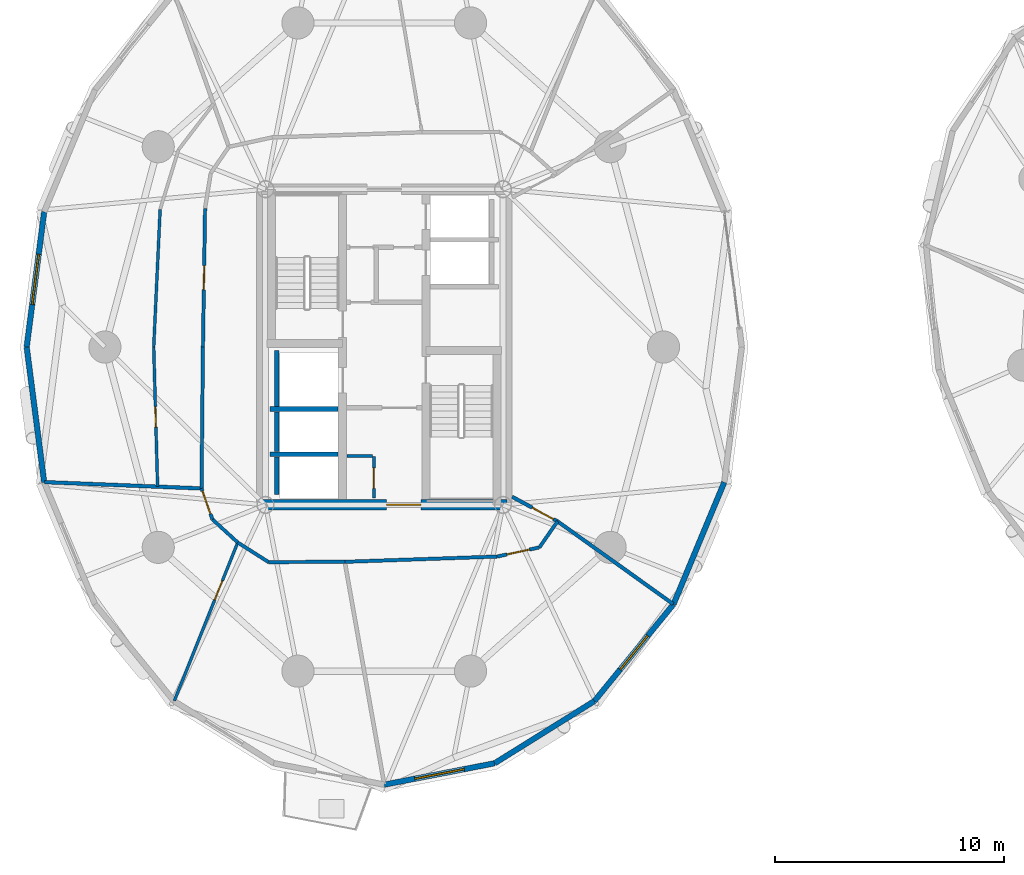
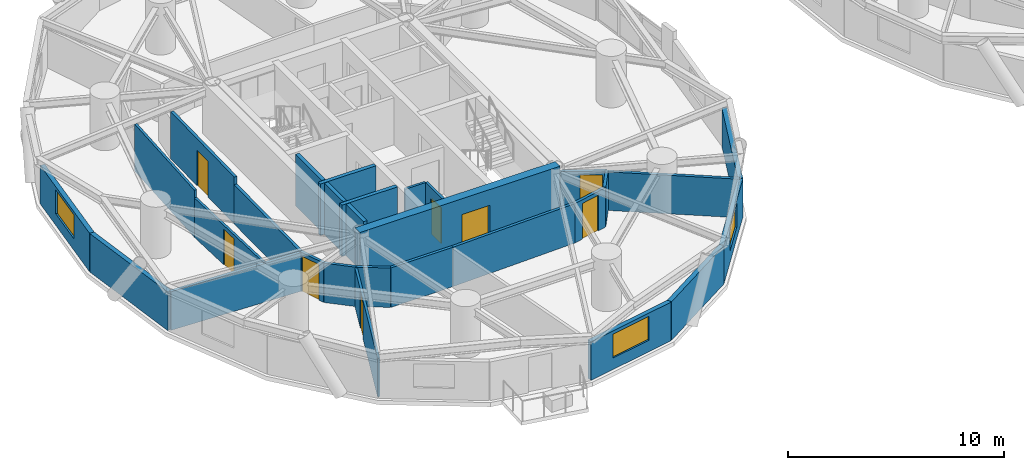
# One storey, part 9 of 17: 29 walls, 8 doors, 3 windows, 11 openings.
"""IFC4 building model written with IfcOpenShell, lengths in metres."""

from ifc_helpers import new_model, si_unit, direction, frame, frame_2d, origin, place, context, subcontext, project, spatial, rectangle, extrude, source, transform, mapped, material, layer, layer_set, type_object, element, fill, save


model = new_model("IFC4")

# Units and contexts
model_context = context("Model", 3, precision=1e-05, world=origin(), true_north=direction((0.0, 1.0)))
body_context = subcontext(model_context, "Body", "Model", "MODEL_VIEW")
ifc_project = project(units=[si_unit("LENGTHUNIT", "METRE"), si_unit("AREAUNIT", "SQUARE_METRE"), si_unit("VOLUMEUNIT", "CUBIC_METRE"), si_unit("PLANEANGLEUNIT", "RADIAN"), si_unit("MASSUNIT", "GRAM", prefix="KILO")], contexts=[model_context])

# Site, building, storey
site_placement = place(None, origin())
site = spatial("IfcSite", under=ifc_project, at=site_placement, CompositionType="ELEMENT")
building_placement = place(site_placement, origin())
building = spatial("IfcBuilding", under=site, at=building_placement, Name="Cununo Teusaquillo Station Towers", CompositionType="ELEMENT")
storey_placement = place(building_placement, frame((0.0, 0.0, 113.800048828125)))
storey = spatial("IfcBuildingStorey", under=building, at=storey_placement, Name="L36", CompositionType="ELEMENT", Elevation=113.800048828125)

# Walls
ifc_material_1 = material(Name="Concrete C50/60", Category="concrete")
ifc_layer_1 = layer(ifc_material_1, 0.199951171875)
ifc_layer_set_1 = layer_set([ifc_layer_1], Name="Concrete C50/60")
wall_type_1 = type_object("IfcWallType", Name="WL-CORE-200", PredefinedType="SHEAR", material=ifc_layer_set_1)
wall_1_placement = place(storey_placement, frame((11.52001953125, 21.800048828125, 0.0), z_axis=(0.0, 0.0, 1.0), x_axis=(1.0, 0.0, 0.0)))
element("IfcWall", 1, at=wall_1_placement, inside=storey, type_object=wall_type_1, Name="L36 Tower A Firefighting Lift Shaft South Shear Wall", PredefinedType="SHEAR", context=body_context, shape_type="SweptSolid", body=[
    extrude(rectangle(XDim=2.969970703125, YDim=0.199951171875, at=frame_2d((1.48486328125, 0.0))), origin(), (0.0, 0.0, 1.0), 2.909912109375),
])
wall_2_placement = place(storey_placement, frame((11.820068359375, 21.919921875, 0.0), z_axis=(0.0, 0.0, 1.0), x_axis=(0.0, 1.0, 0.0)))
element("IfcWall", 2, at=wall_2_placement, inside=storey, type_object=wall_type_1, Name="L36 Tower A Firefighting Lift Shaft Rear Shear Wall", PredefinedType="SHEAR", context=body_context, shape_type="SweptSolid", body=[
    extrude(rectangle(XDim=2.440185546875, YDim=0.199951171875, at=frame_2d((1.22021484375, 0.0))), origin(), (0.0, 0.0, 1.0), 2.909912109375),
])
wall_3_placement = place(storey_placement, frame((11.52001953125, 19.824951171875, 0.0), z_axis=(0.0, 0.0, 1.0), x_axis=(1.0, 0.0, 0.0)))
element("IfcWall", 3, at=wall_3_placement, inside=storey, type_object=wall_type_1, Name="L36 Tower A High-Rise Lift Hoistway Divider Shear Wall", PredefinedType="SHEAR", context=body_context, shape_type="SweptSolid", body=[
    extrude(rectangle(XDim=2.969970703125, YDim=0.199951171875, at=frame_2d((1.48486328125, 0.0))), origin(), (0.0, 0.0, 1.0), 2.909912109375),
])
wall_4_placement = place(storey_placement, frame((11.820068359375, 19.945068359375, 0.0), z_axis=(0.0, 0.0, 1.0), x_axis=(0.0, 1.0, 0.0)))
element("IfcWall", 4, at=wall_4_placement, inside=storey, type_object=wall_type_1, Name="L36 Tower A High-Rise Lift 2 Shaft Rear Shear Wall", PredefinedType="SHEAR", context=body_context, shape_type="SweptSolid", body=[
    extrude(rectangle(XDim=1.73486328125, YDim=0.199951171875, at=frame_2d((0.867431640625, 0.0))), origin(), (0.0, 0.0, 1.0), 2.909912109375),
])
wall_5_placement = place(storey_placement, frame((11.820068359375, 18.070068359375, 0.0), z_axis=(0.0, 0.0, 1.0), x_axis=(0.0, 1.0, 0.0)))
element("IfcWall", 5, at=wall_5_placement, inside=storey, type_object=wall_type_1, Name="L36 Tower A High-Rise Lift 1 Shaft Rear Shear Wall", PredefinedType="SHEAR", context=body_context, shape_type="SweptSolid", body=[
    extrude(rectangle(XDim=1.635009765625, YDim=0.199951171875, at=frame_2d((0.8173828125, 0.0))), origin(), (0.0, 0.0, 1.0), 2.909912109375),
])

# Wall, opening, door
ifc_material_2 = material(Name="Concrete C60/75", Category="concrete")
ifc_layer_2 = layer(ifc_material_2, 0.449951171875)
ifc_layer_set_2 = layer_set([ifc_layer_2], Name="Concrete C60/75")
wall_type_2 = type_object("IfcWallType", Name="WL-CORE-450", PredefinedType="SHEAR", material=ifc_layer_set_2)
wall_6_placement = place(storey_placement, frame((11.14990234375, 17.625, 0.0), z_axis=(0.0, 0.0, 1.0), x_axis=(1.0, 0.0, 0.0)))
wall_6 = element("IfcWall", 6, at=wall_6_placement, inside=storey, type_object=wall_type_2, Name="L36 Tower A Core Shear Wall S", PredefinedType="SHEAR", context=body_context, shape_type="SweptSolid", body=[
    extrude(rectangle(XDim=10.7001953125, YDim=0.449951171875, at=frame_2d((5.35009765625, 0.0))), origin(), (0.0, 0.0, 1.0), 2.909912109375),
])
shared_shape_1 = source(origin(), body_context, "Body", "SweptSolid", [
    extrude(rectangle(XDim=1.5, YDim=2.02001953125, at=frame_2d((0.75, 1.010009765625))), frame((0.0, 0.23486328125, 0.0), z_axis=(0.0, -1.0, 0.0), x_axis=(1.0, 0.0, 0.0)), (0.0, 0.0, 1.0), 0.469970703125),
])
opening_1_placement = place(wall_6_placement, frame((5.449951171875, 0.0, 0.0)))
opening_1 = element("IfcOpeningElement", 7, at=opening_1_placement, cuts=wall_6, Name="Opening D-LB1", PredefinedType="OPENING", context=body_context, shape_type="MappedRepresentation", body=[
    mapped(shared_shape_1, transform((0.0, 0.0, 0.0), x_axis=(1.0, 0.0, 0.0), y_axis=(0.0, 1.0, 0.0), z_axis=(0.0, 0.0, 1.0), scale=1.0)),
])
ifc_material_3 = material(Name="Galvanised fire-rated hollow steel door assembly", Category="steel")
door_type_1 = type_object("IfcDoorType", Name="DR-LOBBY-1500", OperationType="DOUBLE_DOOR_SINGLE_SWING", PredefinedType="DOOR", material=ifc_material_3)
shared_shape_2 = source(origin(), body_context, "Body", "SweptSolid", [
    extrude(rectangle(XDim=1.5, YDim=2.02001953125, at=frame_2d((0.75, 1.010009765625))), frame((0.0, 0.02490234375, 0.0), z_axis=(0.0, -1.0, 0.0), x_axis=(1.0, 0.0, 0.0)), (0.0, 0.0, 1.0), 0.050048828125),
])
door_1_placement = place(opening_1_placement, origin())
door_1 = element("IfcDoor", 8, at=door_1_placement, inside=storey, type_object=door_type_1, Name="L36 Tower A South Core Lift Lobby Door", OperationType="DOUBLE_DOOR_SINGLE_SWING", OverallHeight=2.02001953125, OverallWidth=1.5, PredefinedType="DOOR", context=body_context, shape_type="MappedRepresentation", body=[
    mapped(shared_shape_2, transform((0.0, 0.0, 0.0), x_axis=(1.0, 0.0, 0.0), y_axis=(0.0, 1.0, 0.0), z_axis=(0.0, 0.0, 1.0), scale=1.0)),
])
fill(opening_1, door_1)

# Wall, opening, window
ifc_material_4 = material(Name="Precast concrete C40/50", Category="concrete")
ifc_layer_3 = layer(ifc_material_4, 0.239990234375)
ifc_layer_set_3 = layer_set([ifc_layer_3], Name="Precast concrete C40/50")
wall_type_3 = type_object("IfcWallType", Name="WL-EXT-240", PredefinedType="SOLIDWALL", material=ifc_layer_set_3)
wall_7_placement = place(storey_placement, frame((0.9189453125, 24.5, 0.0), z_axis=(0.0, 0.0, 1.0), x_axis=(0.128351991996, 0.991728675672, 0.0)))
wall_7 = element("IfcWall", 9, at=wall_7_placement, inside=storey, type_object=wall_type_3, Name="L36 Tower A Exterior Facade Wall C09", PredefinedType="SOLIDWALL", context=body_context, shape_type="SweptSolid", body=[
    extrude(rectangle(XDim=5.942138671875, YDim=0.239990234375, at=frame_2d((2.97119140625, 0.0))), origin(), (0.0, 0.0, 1.0), 2.178955078125),
])
shared_shape_3 = source(origin(), body_context, "Body", "SweptSolid", [
    extrude(rectangle(XDim=2.199951171875, YDim=1.35009765625, at=frame_2d((1.10009765625, 0.675048828125))), frame((0.0, 0.1298828125, 0.0), z_axis=(0.0, -1.0, 0.0), x_axis=(1.0, 0.0, 0.0)), (0.0, 0.0, 1.0), 0.260009765625),
])
opening_2_placement = place(wall_7_placement, frame((1.87109375, 0.0, 0.64990234375)))
opening_2 = element("IfcOpeningElement", 10, at=opening_2_placement, cuts=wall_7, Name="Opening WN-01", PredefinedType="OPENING", context=body_context, shape_type="MappedRepresentation", body=[
    mapped(shared_shape_3, transform((0.0, 0.0, 0.0), x_axis=(1.0, 0.0, 0.0), y_axis=(0.0, 1.0, 0.0), z_axis=(0.0, 0.0, 1.0), scale=1.0)),
])
ifc_material_5 = material(Name="Ceramic-fritted dark low-E double glazing", Category="glass")
window_type_1 = type_object("IfcWindowType", Name="WIN-FRIT-2200", PartitioningType="DOUBLE_PANEL_VERTICAL", PredefinedType="WINDOW", material=ifc_material_5)
shared_shape_4 = source(origin(), body_context, "Body", "SweptSolid", [
    extrude(rectangle(XDim=2.199951171875, YDim=1.35009765625, at=frame_2d((1.10009765625, 0.675048828125))), frame((0.0, 0.030029296875, 0.0), z_axis=(0.0, -1.0, 0.0), x_axis=(1.0, 0.0, 0.0)), (0.0, 0.0, 1.0), 0.06005859375),
])
window_1_placement = place(opening_2_placement, origin())
window_1 = element("IfcWindow", 11, at=window_1_placement, inside=storey, type_object=window_type_1, Name="L36 Tower A Facade Window C09", OverallHeight=1.35009765625, OverallWidth=2.199951171875, PartitioningType="DOUBLE_PANEL_VERTICAL", PredefinedType="WINDOW", context=body_context, shape_type="MappedRepresentation", body=[
    mapped(shared_shape_4, transform((0.0, 0.0, 0.0), x_axis=(1.0, 0.0, 0.0), y_axis=(0.0, 1.0, 0.0), z_axis=(0.0, 0.0, 1.0), scale=1.0)),
])
fill(opening_2, window_1)

# Wall
wall_8_placement = place(storey_placement, frame((1.681640625, 18.60693359375, 0.0), z_axis=(0.0, 0.0, 1.0), x_axis=(-0.128351991996, 0.991728675672, 0.0)))
element("IfcWall", 12, at=wall_8_placement, inside=storey, type_object=wall_type_3, Name="L36 Tower A Exterior Facade Wall C10", PredefinedType="SOLIDWALL", context=body_context, shape_type="SweptSolid", body=[
    extrude(rectangle(XDim=5.942138671875, YDim=0.239990234375, at=frame_2d((2.97119140625, 0.0))), origin(), (0.0, 0.0, 1.0), 2.178955078125),
])

# Wall, opening, window
wall_9_placement = place(storey_placement, frame((21.314697265625, 6.36328125, 0.0), z_axis=(0.0, 0.0, 1.0), x_axis=(-0.981723785992, -0.190311344954, 0.0)))
wall_9 = element("IfcWall", 13, at=wall_9_placement, inside=storey, type_object=wall_type_3, Name="L36 Tower A Exterior Facade Wall C15", PredefinedType="SOLIDWALL", context=body_context, shape_type="SweptSolid", body=[
    extrude(rectangle(XDim=4.904296875, YDim=0.239990234375, at=frame_2d((2.4521484375, 0.0))), origin(), (0.0, 0.0, 1.0), 2.178955078125),
])
opening_3_placement = place(wall_9_placement, frame((1.35205078125, 0.0, 0.64990234375)))
opening_3 = element("IfcOpeningElement", 14, at=opening_3_placement, cuts=wall_9, Name="Opening WN-01", PredefinedType="OPENING", context=body_context, shape_type="MappedRepresentation", body=[
    mapped(shared_shape_3, transform((0.0, 0.0, 0.0), x_axis=(1.0, 0.0, 0.0), y_axis=(0.0, 1.0, 0.0), z_axis=(0.0, 0.0, 1.0), scale=1.0)),
])
window_2_placement = place(opening_3_placement, origin())
window_2 = element("IfcWindow", 15, at=window_2_placement, inside=storey, type_object=window_type_1, Name="L36 Tower A Facade Window C15", OverallHeight=1.35009765625, OverallWidth=2.199951171875, PartitioningType="DOUBLE_PANEL_VERTICAL", PredefinedType="WINDOW", context=body_context, shape_type="MappedRepresentation", body=[
    mapped(shared_shape_4, transform((0.0, 0.0, 0.0), x_axis=(1.0, 0.0, 0.0), y_axis=(0.0, 1.0, 0.0), z_axis=(0.0, 0.0, 1.0), scale=1.0)),
])
fill(opening_3, window_2)

# Wall
wall_10_placement = place(storey_placement, frame((25.658203125, 9.072021484375, 0.0), z_axis=(0.0, 0.0, 1.0), x_axis=(-0.848520380187, -0.529162701263, 0.0)))
element("IfcWall", 16, at=wall_10_placement, inside=storey, type_object=wall_type_3, Name="L36 Tower A Exterior Facade Wall C16", PredefinedType="SOLIDWALL", context=body_context, shape_type="SweptSolid", body=[
    extrude(rectangle(XDim=5.118896484375, YDim=0.239990234375, at=frame_2d((2.5595703125, 0.0))), origin(), (0.0, 0.0, 1.0), 2.178955078125),
])

# Wall, opening, window
wall_11_placement = place(storey_placement, frame((29.105224609375, 13.291015625, 0.0), z_axis=(0.0, 0.0, 1.0), x_axis=(-0.632700781152, -0.77439635945, 0.0)))
wall_11 = element("IfcWall", 17, at=wall_11_placement, inside=storey, type_object=wall_type_3, Name="L36 Tower A Exterior Facade Wall C17", PredefinedType="SOLIDWALL", context=body_context, shape_type="SweptSolid", body=[
    extrude(rectangle(XDim=5.447998046875, YDim=0.239990234375, at=frame_2d((2.72412109375, 0.0))), origin(), (0.0, 0.0, 1.0), 2.178955078125),
])
shared_shape_5 = source(origin(), body_context, "Body", "SweptSolid", [
    extrude(rectangle(XDim=1.89990234375, YDim=1.35009765625, at=frame_2d((0.949951171875, 0.675048828125))), frame((0.0, 0.1298828125, 0.0), z_axis=(0.0, -1.0, 0.0), x_axis=(1.0, 0.0, 0.0)), (0.0, 0.0, 1.0), 0.260009765625),
])
opening_4_placement = place(wall_11_placement, frame((1.77392578125, 0.0, 0.64990234375)))
opening_4 = element("IfcOpeningElement", 18, at=opening_4_placement, cuts=wall_11, Name="Opening WN-02", PredefinedType="OPENING", context=body_context, shape_type="MappedRepresentation", body=[
    mapped(shared_shape_5, transform((0.0, 0.0, 0.0), x_axis=(1.0, 0.0, 0.0), y_axis=(0.0, 1.0, 0.0), z_axis=(0.0, 0.0, 1.0), scale=1.0)),
])
ifc_material_6 = material(Name="Operable acoustic tinted low-E double glazing", Category="glass")
window_type_2 = type_object("IfcWindowType", Name="WIN-OPER-1900", PartitioningType="DOUBLE_PANEL_VERTICAL", PredefinedType="WINDOW", material=ifc_material_6)
shared_shape_6 = source(origin(), body_context, "Body", "SweptSolid", [
    extrude(rectangle(XDim=1.89990234375, YDim=1.35009765625, at=frame_2d((0.949951171875, 0.675048828125))), frame((0.0, 0.030029296875, 0.0), z_axis=(0.0, -1.0, 0.0), x_axis=(1.0, 0.0, 0.0)), (0.0, 0.0, 1.0), 0.06005859375),
])
window_3_placement = place(opening_4_placement, origin())
window_3 = element("IfcWindow", 19, at=window_3_placement, inside=storey, type_object=window_type_2, Name="L36 Tower A Facade Window C17", OverallHeight=1.35009765625, OverallWidth=1.89990234375, PartitioningType="DOUBLE_PANEL_VERTICAL", PredefinedType="WINDOW", context=body_context, shape_type="MappedRepresentation", body=[
    mapped(shared_shape_6, transform((0.0, 0.0, 0.0), x_axis=(1.0, 0.0, 0.0), y_axis=(0.0, 1.0, 0.0), z_axis=(0.0, 0.0, 1.0), scale=1.0)),
])
fill(opening_4, window_3)

# Wall
wall_12_placement = place(storey_placement, frame((31.318359375, 18.60693359375, 0.0), z_axis=(0.0, 0.0, 1.0), x_axis=(-0.384344417632, -0.923189779317, 0.0)))
element("IfcWall", 20, at=wall_12_placement, inside=storey, type_object=wall_type_3, Name="L36 Tower A Exterior Facade Wall C18", PredefinedType="SOLIDWALL", context=body_context, shape_type="SweptSolid", body=[
    extrude(rectangle(XDim=5.75830078125, YDim=0.239990234375, at=frame_2d((2.879150390625, 0.0))), origin(), (0.0, 0.0, 1.0), 2.178955078125),
])

# Wall, opening, door
ifc_material_7 = material(Name="Fire-rated gypsum plasterboard partition assembly", Category="gypsum")
ifc_layer_4 = layer(ifc_material_7, 0.125)
ifc_layer_set_4 = layer_set([ifc_layer_4], Name="Fire-rated gypsum plasterboard partition assembly")
wall_type_4 = type_object("IfcWallType", Name="WL-PART-125", PredefinedType="PARTITIONING", material=ifc_layer_set_4)
wall_13_placement = place(storey_placement, frame((16.050048828125, 17.919921875, 0.0), z_axis=(0.0, 0.0, 1.0), x_axis=(0.0, 1.0, 0.0)))
wall_13 = element("IfcWall", 21, at=wall_13_placement, inside=storey, type_object=wall_type_4, Name="L36 Tower A South-West Compact Store East Wall", PredefinedType="PARTITIONING", context=body_context, shape_type="SweptSolid", body=[
    extrude(rectangle(XDim=1.800048828125, YDim=0.125, at=frame_2d((0.89990234375, 0.0))), origin(), (0.0, 0.0, 1.0), 2.655029296875),
])
shared_shape_7 = source(origin(), body_context, "Body", "SweptSolid", [
    extrude(rectangle(XDim=0.89990234375, YDim=2.0048828125, at=frame_2d((0.449951171875, 1.00244140625))), frame((0.0, 0.072509765625, 0.0), z_axis=(0.0, -1.0, 0.0), x_axis=(1.0, 0.0, 0.0)), (0.0, 0.0, 1.0), 0.14501953125),
])
opening_5_placement = place(wall_13_placement, frame((0.419921875, 0.0, 0.0)))
opening_5 = element("IfcOpeningElement", 22, at=opening_5_placement, cuts=wall_13, Name="Opening D-SR1", PredefinedType="OPENING", context=body_context, shape_type="MappedRepresentation", body=[
    mapped(shared_shape_7, transform((0.0, 0.0, 0.0), x_axis=(1.0, 0.0, 0.0), y_axis=(0.0, 1.0, 0.0), z_axis=(0.0, 0.0, 1.0), scale=1.0)),
])
ifc_material_8 = material(Name="Galvanised fire-rated hollow steel door assembly", Category="steel")
door_type_2 = type_object("IfcDoorType", Name="DR-STORE-900", OperationType="NOTDEFINED", PredefinedType="DOOR", material=ifc_material_8)
shared_shape_8 = source(origin(), body_context, "Body", "SweptSolid", [
    extrude(rectangle(XDim=0.89990234375, YDim=2.0048828125, at=frame_2d((0.449951171875, 1.00244140625))), frame((0.0, 0.02490234375, 0.0), z_axis=(0.0, -1.0, 0.0), x_axis=(1.0, 0.0, 0.0)), (0.0, 0.0, 1.0), 0.050048828125),
])
door_2_placement = place(opening_5_placement, origin())
door_2 = element("IfcDoor", 23, at=door_2_placement, inside=storey, type_object=door_type_2, Name="L36 Tower A Core Electrical & Comms Store Door", OperationType="SINGLE_SWING_RIGHT", OverallHeight=2.0048828125, OverallWidth=0.89990234375, PredefinedType="DOOR", context=body_context, shape_type="MappedRepresentation", body=[
    mapped(shared_shape_8, transform((0.0, 0.0, 0.0), x_axis=(1.0, 0.0, 0.0), y_axis=(0.0, 1.0, 0.0), z_axis=(0.0, 0.0, 1.0), scale=1.0)),
])
fill(opening_5, door_2)

# Walls
wall_14_placement = place(storey_placement, frame((14.8798828125, 19.75, 0.0), z_axis=(0.0, 0.0, 1.0), x_axis=(1.0, 0.0, 0.0)))
element("IfcWall", 24, at=wall_14_placement, inside=storey, type_object=wall_type_4, Name="L36 Tower A South-West Compact Store North Wall", PredefinedType="PARTITIONING", context=body_context, shape_type="SweptSolid", body=[
    extrude(rectangle(XDim=1.10009765625, YDim=0.125, at=frame_2d((0.550048828125, 0.0))), origin(), (0.0, 0.0, 1.0), 2.655029296875),
])
wall_15_placement = place(storey_placement, frame((6.73486328125, 30.5, 0.0), z_axis=(0.0, 0.0, 1.0), x_axis=(-0.046620801603, -0.998912659274, 0.0)))
element("IfcWall", 25, at=wall_15_placement, inside=storey, type_object=wall_type_4, Name="L36 Tower A Corporate Strategy Boardroom Concentric Partition Wall C09", PredefinedType="PARTITIONING", context=body_context, shape_type="SweptSolid", body=[
    extrude(rectangle(XDim=6.006591796875, YDim=0.125, at=frame_2d((3.00341796875, 0.0))), origin(), (0.0, 0.0, 1.0), 2.655029296875),
])

# Wall, opening, door
wall_16_placement = place(storey_placement, frame((6.454833984375, 24.5, 0.0), z_axis=(0.0, 0.0, 1.0), x_axis=(0.027753708707, -0.999614791634, 0.0)))
wall_16 = element("IfcWall", 26, at=wall_16_placement, inside=storey, type_object=wall_type_4, Name="L36 Tower A Corporate Strategy Boardroom Concentric Partition Wall C10", PredefinedType="PARTITIONING", context=body_context, shape_type="SweptSolid", body=[
    extrude(rectangle(XDim=6.08740234375, YDim=0.125, at=frame_2d((3.043701171875, 0.0))), origin(), (0.0, 0.0, 1.0), 2.224853515625),
])
opening_6_placement = place(wall_16_placement, frame((2.593505859375, 0.0, 0.0)))
opening_6 = element("IfcOpeningElement", 27, at=opening_6_placement, cuts=wall_16, Name="Opening D-IN1", PredefinedType="OPENING", context=body_context, shape_type="MappedRepresentation", body=[
    mapped(shared_shape_7, transform((0.0, 0.0, 0.0), x_axis=(1.0, 0.0, 0.0), y_axis=(0.0, 1.0, 0.0), z_axis=(0.0, 0.0, 1.0), scale=1.0)),
])
ifc_material_9 = material(Name="Acoustic solid-core hardwood leaf assembly", Category="wood")
door_type_3 = type_object("IfcDoorType", Name="DR-INT-900", OperationType="NOTDEFINED", PredefinedType="DOOR", material=ifc_material_9)
door_3_placement = place(opening_6_placement, origin())
door_3 = element("IfcDoor", 28, at=door_3_placement, inside=storey, type_object=door_type_3, Name="L36 Tower A Corporate Strategy Boardroom Connecting Door", OperationType="SINGLE_SWING_LEFT", OverallHeight=2.0048828125, OverallWidth=0.89990234375, PredefinedType="DOOR", context=body_context, shape_type="MappedRepresentation", body=[
    mapped(shared_shape_8, transform((0.0, 0.0, 0.0), x_axis=(1.0, 0.0, 0.0), y_axis=(0.0, 1.0, 0.0), z_axis=(0.0, 0.0, 1.0), scale=1.0)),
])
fill(opening_6, door_3)

wall_17_placement = place(storey_placement, frame((10.115478515625, 15.98291015625, 0.0), z_axis=(0.0, 0.0, 1.0), x_axis=(-0.371861013147, -0.928288417951, 0.0)))
wall_17 = element("IfcWall", 29, at=wall_17_placement, inside=storey, type_object=wall_type_4, Name="L36 Tower A Treasury & Corporate Finance Practice Suite Subdividing Wall", PredefinedType="PARTITIONING", context=body_context, shape_type="SweptSolid", body=[
    extrude(rectangle(XDim=7.427490234375, YDim=0.125, at=frame_2d((3.7138671875, 0.0))), origin(), (0.0, 0.0, 1.0), 2.178955078125),
])
opening_7_placement = place(wall_17_placement, frame((1.800048828125, 0.0, 0.0)))
opening_7 = element("IfcOpeningElement", 30, at=opening_7_placement, cuts=wall_17, Name="Opening D-IN1", PredefinedType="OPENING", context=body_context, shape_type="MappedRepresentation", body=[
    mapped(shared_shape_7, transform((0.0, 0.0, 0.0), x_axis=(1.0, 0.0, 0.0), y_axis=(0.0, 1.0, 0.0), z_axis=(0.0, 0.0, 1.0), scale=1.0)),
])
door_4_placement = place(opening_7_placement, origin())
door_4 = element("IfcDoor", 31, at=door_4_placement, inside=storey, type_object=door_type_3, Name="L36 Tower A Treasury & Corporate Finance Practice Suite Connecting Door", OperationType="SINGLE_SWING_LEFT", OverallHeight=2.0048828125, OverallWidth=0.89990234375, PredefinedType="DOOR", context=body_context, shape_type="MappedRepresentation", body=[
    mapped(shared_shape_8, transform((0.0, 0.0, 0.0), x_axis=(1.0, 0.0, 0.0), y_axis=(0.0, 1.0, 0.0), z_axis=(0.0, 0.0, 1.0), scale=1.0)),
])
fill(opening_7, door_4)

ifc_material_10 = material(Name="Fire-rated gypsum plasterboard partition assembly", Category="gypsum")
ifc_layer_5 = layer(ifc_material_10, 0.14990234375)
ifc_layer_set_5 = layer_set([ifc_layer_5], Name="Fire-rated gypsum plasterboard partition assembly")
wall_type_5 = type_object("IfcWallType", Name="WL-PART-150", PredefinedType="PARTITIONING", material=ifc_layer_set_5)
wall_18_placement = place(storey_placement, frame((8.692626953125, 30.544189453125, 0.0), z_axis=(0.0, 0.0, 1.0), x_axis=(-0.015307007986, -0.99988284089, 0.0)))
wall_18 = element("IfcWall", 32, at=wall_18_placement, inside=storey, type_object=wall_type_5, Name="L36 Tower A Corridor Ring Wall C09", PredefinedType="PARTITIONING", context=body_context, shape_type="SweptSolid", body=[
    extrude(rectangle(XDim=6.044921875, YDim=0.14990234375, at=frame_2d((3.0224609375, 0.0))), origin(), (0.0, 0.0, 1.0), 2.655029296875),
])
shared_shape_9 = source(origin(), body_context, "Body", "SweptSolid", [
    extrude(rectangle(XDim=1.050048828125, YDim=2.014892578125, at=frame_2d((0.52490234375, 1.00732421875))), frame((0.0, 0.0849609375, 0.0), z_axis=(0.0, -1.0, 0.0), x_axis=(1.0, 0.0, 0.0)), (0.0, 0.0, 1.0), 0.169921875),
])
opening_8_placement = place(wall_18_placement, frame((2.497314453125, 0.0, 0.0)))
opening_8 = element("IfcOpeningElement", 33, at=opening_8_placement, cuts=wall_18, Name="Opening D-SU1", PredefinedType="OPENING", context=body_context, shape_type="MappedRepresentation", body=[
    mapped(shared_shape_9, transform((0.0, 0.0, 0.0), x_axis=(1.0, 0.0, 0.0), y_axis=(0.0, 1.0, 0.0), z_axis=(0.0, 0.0, 1.0), scale=1.0)),
])
ifc_material_11 = material(Name="Acoustic solid-core hardwood leaf assembly", Category="wood")
door_type_4 = type_object("IfcDoorType", Name="DR-SUITE-1050", OperationType="NOTDEFINED", PredefinedType="DOOR", material=ifc_material_11)
shared_shape_10 = source(origin(), body_context, "Body", "SweptSolid", [
    extrude(rectangle(XDim=1.050048828125, YDim=2.014892578125, at=frame_2d((0.52490234375, 1.00732421875))), frame((0.0, 0.02490234375, 0.0), z_axis=(0.0, -1.0, 0.0), x_axis=(1.0, 0.0, 0.0)), (0.0, 0.0, 1.0), 0.050048828125),
])
door_5_placement = place(opening_8_placement, origin())
door_5 = element("IfcDoor", 34, at=door_5_placement, inside=storey, type_object=door_type_4, Name="L36 Tower A Corporate Strategy Boardroom Entrance Door", OperationType="SINGLE_SWING_RIGHT", OverallHeight=2.014892578125, OverallWidth=1.050048828125, PredefinedType="DOOR", context=body_context, shape_type="MappedRepresentation", body=[
    mapped(shared_shape_10, transform((0.0, 0.0, 0.0), x_axis=(1.0, 0.0, 0.0), y_axis=(0.0, 1.0, 0.0), z_axis=(0.0, 0.0, 1.0), scale=1.0)),
])
fill(opening_8, door_5)

# Wall
wall_19_placement = place(storey_placement, frame((8.60009765625, 24.5, 0.0), z_axis=(0.0, 0.0, 1.0), x_axis=(-0.010023665349, -0.999949761805, 0.0)))
element("IfcWall", 35, at=wall_19_placement, inside=storey, type_object=wall_type_5, Name="L36 Tower A Corridor Ring Wall C10", PredefinedType="PARTITIONING", context=body_context, shape_type="SweptSolid", body=[
    extrude(rectangle(XDim=6.162109375, YDim=0.14990234375, at=frame_2d((3.0810546875, 0.0))), origin(), (0.0, 0.0, 1.0), 2.224853515625),
])

# Wall, opening, door
wall_20_placement = place(storey_placement, frame((8.538330078125, 18.338134765625, 0.0), z_axis=(0.0, 0.0, 1.0), x_axis=(0.331358150167, -0.94350504838, 0.0)))
wall_20 = element("IfcWall", 36, at=wall_20_placement, inside=storey, type_object=wall_type_5, Name="L36 Tower A Corridor Ring Wall C11", PredefinedType="PARTITIONING", context=body_context, shape_type="SweptSolid", body=[
    extrude(rectangle(XDim=1.42431640625, YDim=0.14990234375, at=frame_2d((0.712158203125, 0.0))), origin(), (0.0, 0.0, 1.0), 2.224853515625),
])
opening_9_placement = place(wall_20_placement, frame((0.1201171875, 0.0, 0.0)))
opening_9 = element("IfcOpeningElement", 37, at=opening_9_placement, cuts=wall_20, Name="Opening D-SU1", PredefinedType="OPENING", context=body_context, shape_type="MappedRepresentation", body=[
    mapped(shared_shape_9, transform((0.0, 0.0, 0.0), x_axis=(1.0, 0.0, 0.0), y_axis=(0.0, 1.0, 0.0), z_axis=(0.0, 0.0, 1.0), scale=1.0)),
])
door_6_placement = place(opening_9_placement, origin())
door_6 = element("IfcDoor", 38, at=door_6_placement, inside=storey, type_object=door_type_4, Name="L36 Tower A Treasury & Corporate Finance Practice Entrance Door", OperationType="SINGLE_SWING_RIGHT", OverallHeight=2.014892578125, OverallWidth=1.050048828125, PredefinedType="DOOR", context=body_context, shape_type="MappedRepresentation", body=[
    mapped(shared_shape_10, transform((0.0, 0.0, 0.0), x_axis=(1.0, 0.0, 0.0), y_axis=(0.0, 1.0, 0.0), z_axis=(0.0, 0.0, 1.0), scale=1.0)),
])
fill(opening_9, door_6)

# Walls
wall_21_placement = place(storey_placement, frame((9.01025390625, 16.994384765625, 0.0), z_axis=(0.0, 0.0, 1.0), x_axis=(0.737701798986, -0.67512669609, 0.0)))
element("IfcWall", 39, at=wall_21_placement, inside=storey, type_object=wall_type_5, Name="L36 Tower A Corridor Ring Wall C12", PredefinedType="PARTITIONING", context=body_context, shape_type="SweptSolid", body=[
    extrude(rectangle(XDim=1.498291015625, YDim=0.14990234375, at=frame_2d((0.7490234375, 0.0))), origin(), (0.0, 0.0, 1.0), 2.224853515625),
])
wall_22_placement = place(storey_placement, frame((10.115478515625, 15.98291015625, 0.0), z_axis=(0.0, 0.0, 1.0), x_axis=(0.843995849351, -0.536349705209, 0.0)))
element("IfcWall", 40, at=wall_22_placement, inside=storey, type_object=wall_type_5, Name="L36 Tower A Corridor Ring Wall C13", PredefinedType="PARTITIONING", context=body_context, shape_type="SweptSolid", body=[
    extrude(rectangle(XDim=1.5927734375, YDim=0.14990234375, at=frame_2d((0.79638671875, 0.0))), origin(), (0.0, 0.0, 1.0), 2.224853515625),
])
wall_23_placement = place(storey_placement, frame((11.459716796875, 15.128662109375, 0.0), z_axis=(0.0, 0.0, 1.0), x_axis=(0.999993513287, 0.003601858435, 0.0)))
element("IfcWall", 41, at=wall_23_placement, inside=storey, type_object=wall_type_5, Name="L36 Tower A Corridor Ring Wall C14", PredefinedType="PARTITIONING", context=body_context, shape_type="SweptSolid", body=[
    extrude(rectangle(XDim=3.3212890625, YDim=0.14990234375, at=frame_2d((1.66064453125, 0.0))), origin(), (0.0, 0.0, 1.0), 2.224853515625),
])
wall_24_placement = place(storey_placement, frame((14.781005859375, 15.140625, 0.0), z_axis=(0.0, 0.0, 1.0), x_axis=(0.999407918707, 0.034406569513, 0.0)))
element("IfcWall", 42, at=wall_24_placement, inside=storey, type_object=wall_type_5, Name="L36 Tower A Corridor Ring Wall C15", PredefinedType="PARTITIONING", context=body_context, shape_type="SweptSolid", body=[
    extrude(rectangle(XDim=6.6416015625, YDim=0.14990234375, at=frame_2d((3.32080078125, 0.0))), origin(), (0.0, 0.0, 1.0), 2.224853515625),
])

# Wall, opening, door
wall_25_placement = place(storey_placement, frame((21.418701171875, 15.369140625, 0.0), z_axis=(0.0, 0.0, 1.0), x_axis=(0.977192701953, 0.212354475464, 0.0)))
wall_25 = element("IfcWall", 43, at=wall_25_placement, inside=storey, type_object=wall_type_5, Name="L36 Tower A Corridor Ring Wall C16", PredefinedType="PARTITIONING", context=body_context, shape_type="SweptSolid", body=[
    extrude(rectangle(XDim=1.8876953125, YDim=0.14990234375, at=frame_2d((0.94384765625, 0.0))), origin(), (0.0, 0.0, 1.0), 2.224853515625),
])
shared_shape_11 = source(origin(), body_context, "Body", "SweptSolid", [
    extrude(rectangle(XDim=1.0, YDim=2.014892578125, at=frame_2d((0.5, 1.00732421875))), frame((0.0, 0.0849609375, 0.0), z_axis=(0.0, -1.0, 0.0), x_axis=(1.0, 0.0, 0.0)), (0.0, 0.0, 1.0), 0.169921875),
])
opening_10_placement = place(wall_25_placement, frame((0.44384765625, 0.0, 0.0)))
opening_10 = element("IfcOpeningElement", 44, at=opening_10_placement, cuts=wall_25, Name="Opening D-AC1", PredefinedType="OPENING", context=body_context, shape_type="MappedRepresentation", body=[
    mapped(shared_shape_11, transform((0.0, 0.0, 0.0), x_axis=(1.0, 0.0, 0.0), y_axis=(0.0, 1.0, 0.0), z_axis=(0.0, 0.0, 1.0), scale=1.0)),
])
ifc_material_12 = material(Name="Acoustic solid-core hardwood leaf assembly", Category="wood")
door_type_5 = type_object("IfcDoorType", Name="DR-ACC-1000", OperationType="NOTDEFINED", PredefinedType="DOOR", material=ifc_material_12)
shared_shape_12 = source(origin(), body_context, "Body", "SweptSolid", [
    extrude(rectangle(XDim=1.0, YDim=2.014892578125, at=frame_2d((0.5, 1.00732421875))), frame((0.0, 0.02490234375, 0.0), z_axis=(0.0, -1.0, 0.0), x_axis=(1.0, 0.0, 0.0)), (0.0, 0.0, 1.0), 0.050048828125),
])
door_7_placement = place(opening_10_placement, origin())
door_7 = element("IfcDoor", 45, at=door_7_placement, inside=storey, type_object=door_type_5, Name="L36 Tower A Public Accessible Restroom WC Entrance Door", OperationType="SINGLE_SWING_RIGHT", OverallHeight=2.014892578125, OverallWidth=1.0, PredefinedType="DOOR", context=body_context, shape_type="MappedRepresentation", body=[
    mapped(shared_shape_12, transform((0.0, 0.0, 0.0), x_axis=(1.0, 0.0, 0.0), y_axis=(0.0, 1.0, 0.0), z_axis=(0.0, 0.0, 1.0), scale=1.0)),
])
fill(opening_10, door_7)

# Walls
wall_26_placement = place(storey_placement, frame((23.263427734375, 15.77001953125, 0.0), z_axis=(0.0, 0.0, 1.0), x_axis=(0.570743456919, 0.821128434768, 0.0)))
element("IfcWall", 46, at=wall_26_placement, inside=storey, type_object=wall_type_5, Name="L36 Tower A Corridor Ring Wall C17", PredefinedType="PARTITIONING", context=body_context, shape_type="SweptSolid", body=[
    extrude(rectangle(XDim=1.381591796875, YDim=0.14990234375, at=frame_2d((0.69091796875, 0.0))), origin(), (0.0, 0.0, 1.0), 2.224853515625),
])
ifc_material_13 = material(Name="Fire-rated gypsum plasterboard partition assembly", Category="gypsum")
ifc_layer_6 = layer(ifc_material_13, 0.159912109375)
ifc_layer_set_6 = layer_set([ifc_layer_6], Name="Fire-rated gypsum plasterboard partition assembly")
wall_type_6 = type_object("IfcWallType", Name="WL-PART-160", PredefinedType="PARTITIONING", material=ifc_layer_set_6)
wall_27_placement = place(storey_placement, frame((8.538330078125, 18.338134765625, 0.0), z_axis=(0.0, 0.0, 1.0), x_axis=(-0.999191355531, 0.04020740021, 0.0)))
element("IfcWall", 47, at=wall_27_placement, inside=storey, type_object=wall_type_6, Name="L36 Tower A Radial Suite Partition R04", PredefinedType="PARTITIONING", context=body_context, shape_type="SweptSolid", body=[
    extrude(rectangle(XDim=6.84326171875, YDim=0.159912109375, at=frame_2d((3.421630859375, 0.0))), origin(), (0.0, 0.0, 1.0), 2.178955078125),
])
wall_28_placement = place(storey_placement, frame((24.052001953125, 16.904541015625, 0.0), z_axis=(0.0, 0.0, 1.0), x_axis=(0.813437670746, -0.581652091727, 0.0)))
element("IfcWall", 48, at=wall_28_placement, inside=storey, type_object=wall_type_6, Name="L36 Tower A Radial Suite Partition R06", PredefinedType="PARTITIONING", context=body_context, shape_type="SweptSolid", body=[
    extrude(rectangle(XDim=6.1923828125, YDim=0.159912109375, at=frame_2d((3.09619140625, 0.0))), origin(), (0.0, 0.0, 1.0), 2.178955078125),
])

# Wall, opening, door
wall_29_placement = place(storey_placement, frame((22.074951171875, 17.97509765625, 0.0), z_axis=(0.0, 0.0, 1.0), x_axis=(0.879356383302, -0.476164206073, 0.0)))
wall_29 = element("IfcWall", 49, at=wall_29_placement, inside=storey, type_object=wall_type_6, Name="L36 Tower A East Salon Corridor Portal Wall SE", PredefinedType="PARTITIONING", context=body_context, shape_type="SweptSolid", body=[
    extrude(rectangle(XDim=2.248291015625, YDim=0.159912109375, at=frame_2d((1.1240234375, 0.0))), origin(), (0.0, 0.0, 1.0), 2.224853515625),
])
shared_shape_13 = source(origin(), body_context, "Body", "SweptSolid", [
    extrude(rectangle(XDim=1.050048828125, YDim=2.014892578125, at=frame_2d((0.52490234375, 1.00732421875))), frame((0.0, 0.08984375, 0.0), z_axis=(0.0, -1.0, 0.0), x_axis=(1.0, 0.0, 0.0)), (0.0, 0.0, 1.0), 0.179931640625),
])
opening_11_placement = place(wall_29_placement, frame((0.998291015625, 0.0, 0.0)))
opening_11 = element("IfcOpeningElement", 50, at=opening_11_placement, cuts=wall_29, Name="Opening D-SU1", PredefinedType="OPENING", context=body_context, shape_type="MappedRepresentation", body=[
    mapped(shared_shape_13, transform((0.0, 0.0, 0.0), x_axis=(1.0, 0.0, 0.0), y_axis=(0.0, 1.0, 0.0), z_axis=(0.0, 0.0, 1.0), scale=1.0)),
])
door_8_placement = place(opening_11_placement, origin())
door_8 = element("IfcDoor", 51, at=door_8_placement, inside=storey, type_object=door_type_4, Name="L36 Tower A East Panorama Sky Salon Door SE", OperationType="SINGLE_SWING_LEFT", OverallHeight=2.014892578125, OverallWidth=1.050048828125, PredefinedType="DOOR", context=body_context, shape_type="MappedRepresentation", body=[
    mapped(shared_shape_10, transform((0.0, 0.0, 0.0), x_axis=(1.0, 0.0, 0.0), y_axis=(0.0, 1.0, 0.0), z_axis=(0.0, 0.0, 1.0), scale=1.0)),
])
fill(opening_11, door_8)

save(model, "model.ifc")
